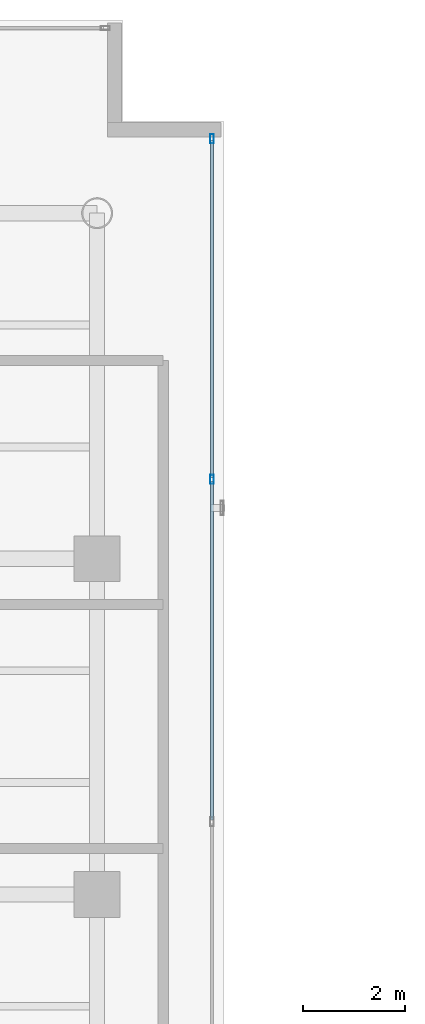
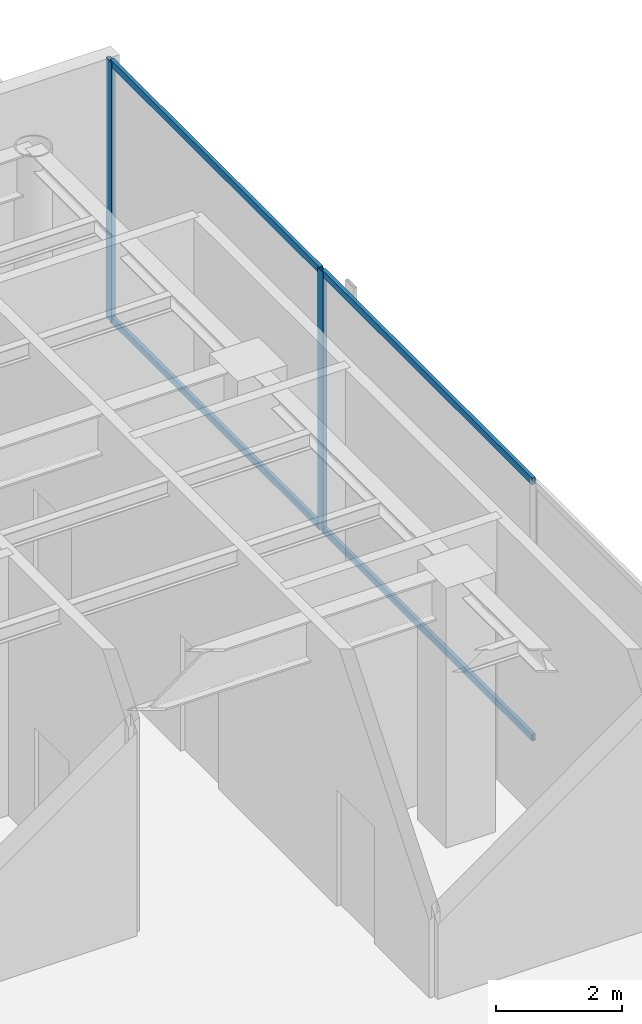
# One storey, part 23 of 29: 6 members, 1 element without a shape of its own.
"""IFC4 building model written with IfcOpenShell, lengths in metres."""

from ifc_helpers import new_model, si_unit, direction, frame, origin, origin_with_axes, origin_2d, place, context, subcontext, project, spatial, hollow_rectangle, extrude, source, transform, mapped, material, layer, layer_set, material_profile, profile_set, type_object, element, aggregate, save


model = new_model("IFC4")

# Units and contexts
model_context = context("Model", 3, precision=1e-05, world=origin(), true_north=direction((0.0, 1.0)))
body_context = subcontext(model_context, "Body", "Model", "MODEL_VIEW")
ifc_project = project(units=[si_unit("LENGTHUNIT", "METRE"), si_unit("AREAUNIT", "SQUARE_METRE"), si_unit("VOLUMEUNIT", "CUBIC_METRE"), si_unit("PLANEANGLEUNIT", "RADIAN"), si_unit("MASSUNIT", "GRAM", prefix="KILO")], contexts=[model_context])

# Site, building, storey
site_placement = place(None, origin())
site = spatial("IfcSite", under=ifc_project, at=site_placement, CompositionType="ELEMENT")
building_placement = place(site_placement, origin())
building = spatial("IfcBuilding", under=site, at=building_placement, Name="Kolvaren Waterfront Exchange", CompositionType="ELEMENT")
storey_placement = place(building_placement, frame((0.0, 0.0, 338.800048828125)))
storey = spatial("IfcBuildingStorey", under=building, at=storey_placement, Name="L87", CompositionType="ELEMENT", Elevation=338.800048828125)

# Curtain wall, members
ifc_material_1 = material(Name="Anodised dark bronze spandrel aluminium", Category="aluminium")
ifc_layer = layer(ifc_material_1, 0.219970703125, Name="Anodised dark bronze spandrel aluminium")
ifc_layer_set = layer_set([ifc_layer], Name="Anodised dark bronze spandrel aluminium")
curtain_wall_type = type_object("IfcCurtainWallType", Name="ARC-CW-SYS6", PredefinedType="USERDEFINED", material=ifc_layer_set)
curtain_wall_placement = place(storey_placement, origin())
curtain_wall = element("IfcCurtainWall", 1, at=curtain_wall_placement, inside=storey, type_object=curtain_wall_type, Name="L87 stick curtain wall CW6 (CW-L87-NE)", ObjectType="STICK CURTAIN WALL", PredefinedType="USERDEFINED")
ifc_material_2 = material(Name="Anodised bronze aluminium 6063-T6", Category="aluminium")
ifc_material_profile_1 = material_profile(ifc_material_2, hollow_rectangle(XDim=0.074951171875, YDim=0.179931640625, WallThickness=0.00439453125, at=origin_2d()), Name="ALU-MUL-180x75x4.5")
ifc_profile_set_1 = profile_set([ifc_material_profile_1], Name="Anodised bronze aluminium 6063-T6")
member_type_1 = type_object("IfcMemberType", Name="ARC-CWM-180", PredefinedType="MULLION", material=ifc_profile_set_1)
shared_shape_1 = source(origin_with_axes(), body_context, "Body", "SweptSolid", [
    extrude(hollow_rectangle(XDim=0.074951171875, YDim=0.179931640625, WallThickness=0.00439453125, at=origin_2d()), origin(), (0.0, 0.0, 1.0), 5.02001953125),
])
member_1_placement = place(storey_placement, frame((21.06005859375, 39.36328125, 0.0), z_axis=(0.0, 0.0, 1.0), x_axis=(-1.0, 0.0, 0.0)))
member_1 = element("IfcMember", 2, at=member_1_placement, type_object=member_type_1, Name="CW6 mullion 3", PredefinedType="MULLION", context=body_context, shape_type="MappedRepresentation", body=[
    mapped(shared_shape_1, transform((0.0, 0.0, 0.0), x_axis=(1.0, 0.0, 0.0), y_axis=(0.0, 1.0, 0.0), z_axis=(0.0, 0.0, 1.0), scale=1.0)),
])
member_2_placement = place(storey_placement, frame((21.06005859375, 46.0625, 0.0), z_axis=(0.0, 0.0, 1.0), x_axis=(-1.0, 0.0, 0.0)))
member_2 = element("IfcMember", 3, at=member_2_placement, type_object=member_type_1, Name="CW6 mullion 4", PredefinedType="MULLION", context=body_context, shape_type="MappedRepresentation", body=[
    mapped(shared_shape_1, transform((0.0, 0.0, 0.0), x_axis=(1.0, 0.0, 0.0), y_axis=(0.0, 1.0, 0.0), z_axis=(0.0, 0.0, 1.0), scale=1.0)),
])
ifc_material_profile_2 = material_profile(ifc_material_2, hollow_rectangle(XDim=0.06494140625, YDim=0.1298828125, WallThickness=0.00390625, at=origin_2d()), Name="ALU-TRN-130x65x4")
ifc_profile_set_2 = profile_set([ifc_material_profile_2], Name="Anodised bronze aluminium 6063-T6")
member_type_2 = type_object("IfcMemberType", Name="ARC-CWT-130", PredefinedType="USERDEFINED", material=ifc_profile_set_2)
shared_shape_2 = source(origin_with_axes(), body_context, "Body", "SweptSolid", [
    extrude(hollow_rectangle(XDim=0.06494140625, YDim=0.1298828125, WallThickness=0.00390625, at=origin_2d()), origin(), (0.0, 0.0, 1.0), 6.6240234375),
])
member_3_placement = place(storey_placement, frame((21.06005859375, 39.40087890625, 0.032470703125), z_axis=(0.0, 1.0, 0.0), x_axis=(-1.0, 0.0, 0.0)))
member_3 = element("IfcMember", 4, at=member_3_placement, type_object=member_type_2, Name="CW6 transom 3.1", ObjectType="TRANSOM", PredefinedType="USERDEFINED", context=body_context, shape_type="MappedRepresentation", body=[
    mapped(shared_shape_2, transform((0.0, 0.0, 0.0), x_axis=(1.0, 0.0, 0.0), y_axis=(0.0, 1.0, 0.0), z_axis=(0.0, 0.0, 1.0), scale=1.0)),
])
member_4_placement = place(storey_placement, frame((21.06005859375, 39.40087890625, 4.987548828125), z_axis=(0.0, 1.0, 0.0), x_axis=(-1.0, 0.0, 0.0)))
member_4 = element("IfcMember", 5, at=member_4_placement, type_object=member_type_2, Name="CW6 transom 3.2", ObjectType="TRANSOM", PredefinedType="USERDEFINED", context=body_context, shape_type="MappedRepresentation", body=[
    mapped(shared_shape_2, transform((0.0, 0.0, 0.0), x_axis=(1.0, 0.0, 0.0), y_axis=(0.0, 1.0, 0.0), z_axis=(0.0, 0.0, 1.0), scale=1.0)),
])
shared_shape_3 = source(origin_with_axes(), body_context, "Body", "SweptSolid", [
    extrude(hollow_rectangle(XDim=0.06494140625, YDim=0.1298828125, WallThickness=0.00390625, at=origin_2d()), origin(), (0.0, 0.0, 1.0), 6.661865234375),
])
member_5_placement = place(storey_placement, frame((21.06005859375, 32.6640625, 0.032470703125), z_axis=(0.0, 1.0, 0.0), x_axis=(-1.0, 0.0, 0.0)))
member_5 = element("IfcMember", 6, at=member_5_placement, type_object=member_type_2, Name="CW6 transom 2.1", ObjectType="TRANSOM", PredefinedType="USERDEFINED", context=body_context, shape_type="MappedRepresentation", body=[
    mapped(shared_shape_3, transform((0.0, 0.0, 0.0), x_axis=(1.0, 0.0, 0.0), y_axis=(0.0, 1.0, 0.0), z_axis=(0.0, 0.0, 1.0), scale=1.0)),
])
member_6_placement = place(storey_placement, frame((21.06005859375, 32.6640625, 4.987548828125), z_axis=(0.0, 1.0, 0.0), x_axis=(-1.0, 0.0, 0.0)))
member_6 = element("IfcMember", 7, at=member_6_placement, type_object=member_type_2, Name="CW6 transom 2.2", ObjectType="TRANSOM", PredefinedType="USERDEFINED", context=body_context, shape_type="MappedRepresentation", body=[
    mapped(shared_shape_3, transform((0.0, 0.0, 0.0), x_axis=(1.0, 0.0, 0.0), y_axis=(0.0, 1.0, 0.0), z_axis=(0.0, 0.0, 1.0), scale=1.0)),
])
aggregate(curtain_wall, [member_1, member_2, member_5, member_6, member_3, member_4])

save(model, "model.ifc")
